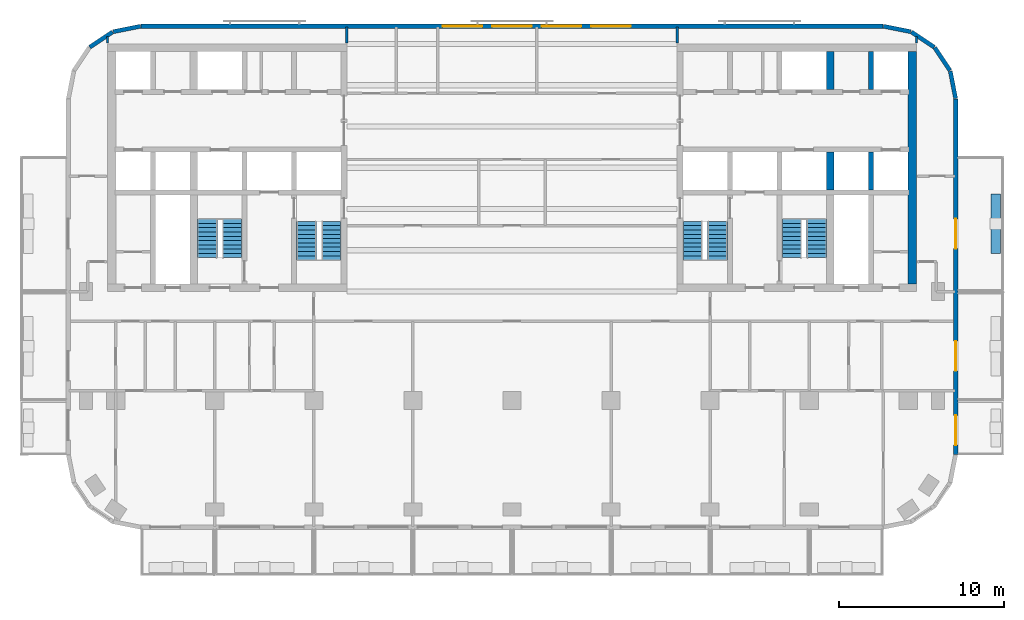
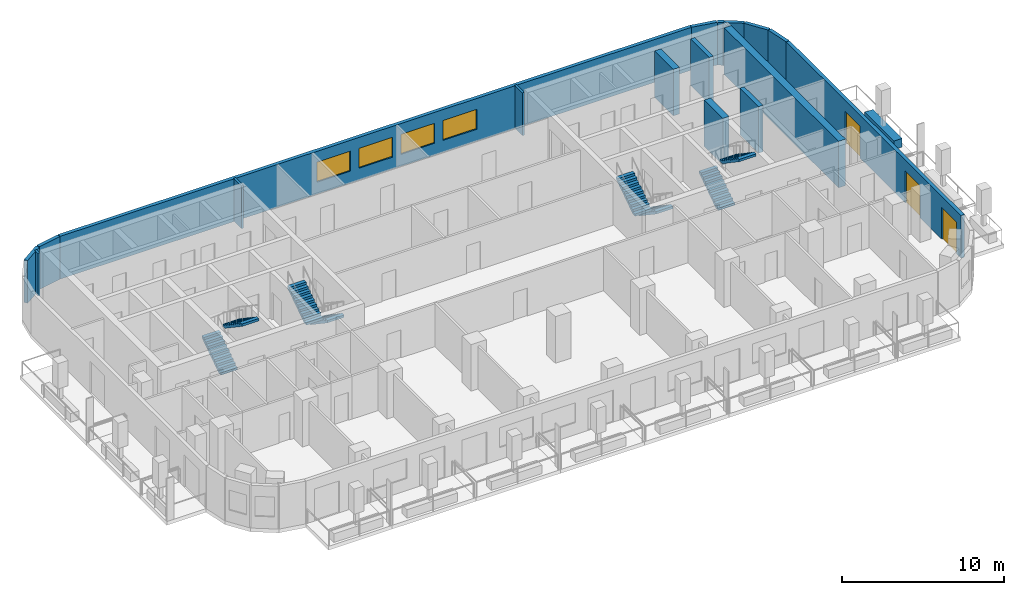
# One storey, part 7 of 11: 18 walls, 8 stair flights, 4 windows, 3 doors, 7 openings, 4 elements without a shape of their own.
"""IFC4 building model written with IfcOpenShell, lengths in metres."""

from ifc_helpers import new_model, si_unit, direction, frame, frame_2d, origin, place, context, subcontext, project, spatial, polyline, rectangle, outline, extrude, material, layer, layer_set, type_object, element, fill, aggregate, save


model = new_model("IFC4")

# Units and contexts
model_context = context("Model", 3, precision=1e-05, world=origin(), true_north=direction((0.0, 1.0)))
body_context = subcontext(model_context, "Body", "Model", "MODEL_VIEW")
ifc_project = project(units=[si_unit("LENGTHUNIT", "METRE"), si_unit("AREAUNIT", "SQUARE_METRE"), si_unit("VOLUMEUNIT", "CUBIC_METRE"), si_unit("PLANEANGLEUNIT", "RADIAN"), si_unit("MASSUNIT", "GRAM", prefix="KILO")], contexts=[model_context])

# Site, building, storey
site_placement = place(None, origin())
site = spatial("IfcSite", under=ifc_project, at=site_placement, CompositionType="ELEMENT")
building_placement = place(site_placement, origin())
building = spatial("IfcBuilding", under=site, at=building_placement, Name="Torana Hotel and Residences", CompositionType="ELEMENT")
storey_placement = place(building_placement, frame((0.0, 0.0, 222.10009765625)))
storey = spatial("IfcBuildingStorey", under=building, at=storey_placement, Name="L58", CompositionType="ELEMENT", Elevation=222.10009765625)

# Walls
ifc_material_1 = material(Name="Concrete C70/85", Category="concrete")
ifc_layer_1 = layer(ifc_material_1, 0.300048828125)
ifc_layer_set_1 = layer_set([ifc_layer_1], Name="CORE WALL 300 C70/85")
wall_type_1 = type_object("IfcWallType", Name="CORE WALL 300 C70/85", PredefinedType="SHEAR", material=ifc_layer_set_1)
for number, where, z_axis, x_axis, name in (
    (1, (21.75, -2.75, 0.0), (0.0, 0.0, 1.0), (0.0, 1.0, 0.0), "Core wall E mm-N"),
    (2, (21.75, -8.85009765625, 0.0), (0.0, 0.0, 1.0), (0.0, 1.0, 0.0), "Core wall E mm-S"),
):
    element("IfcWall", number, at=place(storey_placement, frame(where, z_axis=z_axis, x_axis=x_axis)), inside=storey, type_object=wall_type_1, Name=name, PredefinedType="SHEAR", context=body_context, shape_type="SweptSolid", body=[
        extrude(rectangle(XDim=2.300048828125, YDim=0.300048828125, at=frame_2d((1.14990234375, 0.0))), origin(), (0.0, 0.0, 1.0), 3.5),
    ])
ifc_material_2 = material(Name="Concrete C70/85", Category="concrete")
ifc_layer_2 = layer(ifc_material_2, 0.449951171875)
ifc_layer_set_2 = layer_set([ifc_layer_2], Name="CORE WALL 450 C70/85")
wall_type_2 = type_object("IfcWallType", Name="CORE WALL 450 C70/85", PredefinedType="SHEAR", material=ifc_layer_set_2)
for number, where, z_axis, x_axis, name in (
    (3, (19.27490234375, -2.75, 0.0), (0.0, 0.0, 1.0), (0.0, 1.0, 0.0), "Core wall E hm-N"),
    (4, (19.27490234375, -8.85009765625, 0.0), (0.0, 0.0, 1.0), (0.0, 1.0, 0.0), "Core wall E hm-S"),
):
    element("IfcWall", number, at=place(storey_placement, frame(where, z_axis=z_axis, x_axis=x_axis)), inside=storey, type_object=wall_type_2, Name=name, PredefinedType="SHEAR", context=body_context, shape_type="SweptSolid", body=[
        extrude(rectangle(XDim=2.300048828125, YDim=0.449951171875, at=frame_2d((1.14990234375, 0.0))), origin(), (0.0, 0.0, 1.0), 3.5),
    ])
ifc_material_3 = material(Name="Concrete C70/85", Category="concrete")
ifc_layer_3 = layer(ifc_material_3, 0.5)
ifc_layer_set_3 = layer_set([ifc_layer_3], Name="CORE WALL 500 C70/85")
wall_type_3 = type_object("IfcWallType", Name="CORE WALL 500 C70/85", PredefinedType="SHEAR", material=ifc_layer_set_3)
wall_1_placement = place(storey_placement, frame((24.25, -14.550048828125, 0.0), z_axis=(0.0, 0.0, 1.0), x_axis=(0.0, 1.0, 0.0)))
element("IfcWall", 5, at=wall_1_placement, inside=storey, type_object=wall_type_3, Name="Core wall E outer", PredefinedType="SHEAR", context=body_context, shape_type="SweptSolid", body=[
    extrude(rectangle(XDim=14.10009765625, YDim=0.5, at=frame_2d((7.050048828125, 0.0))), origin(), (0.0, 0.0, 1.0), 3.5),
])
ifc_material_4 = material(Name="Black aluminium composite panel", Category="aluminium")
ifc_layer_4 = layer(ifc_material_4, 0.00390625, Name="Cladding", Category="cladding")
ifc_material_5 = material(Name="Ventilated air cavity")
ifc_layer_5 = layer(ifc_material_5, 0.0400390625, Name="Ventilated cavity", Category="cavity")
ifc_material_6 = material(Name="Mineral wool insulation")
ifc_layer_6 = layer(ifc_material_6, 0.090087890625, Name="Insulation", Category="insulation")
ifc_material_7 = material(Name="Steel S280GD", Category="steel")
ifc_layer_7 = layer(ifc_material_7, 0.092041015625, Name="Steel stud frame", Category="structure")
ifc_material_8 = material(Name="Fire rated plasterboard")
ifc_layer_8 = layer(ifc_material_8, 0.011962890625, Name="Inner board", Category="finish")
ifc_layer_9 = layer(ifc_material_8, 0.011962890625, Name="Second board", Category="finish")
ifc_layer_set_4 = layer_set([ifc_layer_4, ifc_layer_5, ifc_layer_6, ifc_layer_7, ifc_layer_8, ifc_layer_9], Name="EW1 EXTERNAL WALL BLACK METAL CLAD 250")
wall_type_4 = type_object("IfcWallType", Name="EW1 EXTERNAL WALL BLACK METAL CLAD 250", PredefinedType="SOLIDWALL", material=ifc_layer_set_4)
wall_2_placement = place(storey_placement, frame((26.87255859375, -3.30029296875, 0.0), z_axis=(0.0, 0.0, 1.0), x_axis=(-0.194999110559, 0.980803419081, 0.0)))
element("IfcWall", 6, at=wall_2_placement, inside=storey, type_object=wall_type_4, Name="External wall L58 e0.0", PredefinedType="SOLIDWALL", context=body_context, shape_type="SweptSolid", body=[
    extrude(rectangle(XDim=1.681396484375, YDim=0.25, at=frame_2d((0.8408203125, 0.0))), origin(), (0.0, 0.0, 1.0), 3.219970703125),
])
for number, where, z_axis, x_axis, name in (
    (7, (26.52587890625, -1.60595703125, 0.0), (0.0, 0.0, 1.0), (-0.55555029066, 0.831482937015, 0.0), "External wall L58 e0.1"),
    (8, (25.5712890625, -0.1943359375, 0.0), (0.0, 0.0, 1.0), (-0.831482937015, 0.55555029066, 0.0), "External wall L58 e0.2"),
):
    element("IfcWall", number, at=place(storey_placement, frame(where, z_axis=z_axis, x_axis=x_axis)), inside=storey, type_object=wall_type_4, Name=name, PredefinedType="SOLIDWALL", context=body_context, shape_type="SweptSolid", body=[
        extrude(rectangle(XDim=1.65625, YDim=0.25, at=frame_2d((0.828125, 0.0))), origin(), (0.0, 0.0, 1.0), 3.219970703125),
    ])
for number, where, z_axis, x_axis, name in (
    (9, (24.14892578125, 0.74462890625, 0.0), (0.0, 0.0, 1.0), (-0.980803419081, 0.194999110559, 0.0), "External wall L58 e0.3"),
    (10, (-22.499755859375, 1.072509765625, 0.0), (0.0, 0.0, 1.0), (-0.980803419081, -0.194999110559, 0.0), "External wall L58 e0.5"),
):
    element("IfcWall", number, at=place(storey_placement, frame(where, z_axis=z_axis, x_axis=x_axis)), inside=storey, type_object=wall_type_4, Name=name, PredefinedType="SOLIDWALL", context=body_context, shape_type="SweptSolid", body=[
        extrude(rectangle(XDim=1.681396484375, YDim=0.25, at=frame_2d((0.8408203125, 0.0))), origin(), (0.0, 0.0, 1.0), 3.219970703125),
    ])
wall_3_placement = place(storey_placement, frame((-24.194091796875, 0.725830078125, 0.0), z_axis=(0.0, 0.0, 1.0), x_axis=(-0.831482937015, -0.55555029066, 0.0)))
element("IfcWall", 11, at=wall_3_placement, inside=storey, type_object=wall_type_4, Name="External wall L58 e0.6", PredefinedType="SOLIDWALL", context=body_context, shape_type="SweptSolid", body=[
    extrude(rectangle(XDim=1.65625, YDim=0.25, at=frame_2d((0.828125, 0.0))), origin(), (0.0, 0.0, 1.0), 3.219970703125),
])

# Wall, openings, doors
wall_4_placement = place(storey_placement, frame((26.875, -24.87548828125, 0.0), z_axis=(0.0, 0.0, 1.0), x_axis=(0.0, 1.0, 0.0)))
wall_4 = element("IfcWall", 12, at=wall_4_placement, inside=storey, type_object=wall_type_4, Name="External wall L58 e0.19", PredefinedType="SOLIDWALL", context=body_context, shape_type="SweptSolid", body=[
    extrude(rectangle(XDim=21.55078125, YDim=0.25, at=frame_2d((10.775390625, 0.0))), origin(), (0.0, 0.0, 1.0), 3.219970703125),
])
opening_1_placement = place(wall_4_placement, frame((0.575439453125, 0.0, 0.0)))
opening_1 = element("IfcOpeningElement", 13, at=opening_1_placement, cuts=wall_4, Name="Opening L58-E09", PredefinedType="OPENING", context=body_context, shape_type="SweptSolid", body=[
    extrude(rectangle(XDim=1.800048828125, YDim=2.39990234375, at=frame_2d((0.89990234375, 1.199951171875))), frame((0.0, 0.135009765625, 0.0), z_axis=(0.0, -1.0, 0.0), x_axis=(1.0, 0.0, 0.0)), (0.0, 0.0, 1.0), 0.27001953125),
])
opening_2_placement = place(wall_4_placement, frame((5.075439453125, 0.0, 0.0)))
opening_2 = element("IfcOpeningElement", 14, at=opening_2_placement, cuts=wall_4, Name="Opening L58-E10", PredefinedType="OPENING", context=body_context, shape_type="SweptSolid", body=[
    extrude(rectangle(XDim=1.800048828125, YDim=2.39990234375, at=frame_2d((0.89990234375, 1.199951171875))), frame((0.0, 0.135009765625, 0.0), z_axis=(0.0, -1.0, 0.0), x_axis=(1.0, 0.0, 0.0)), (0.0, 0.0, 1.0), 0.27001953125),
])
opening_3_placement = place(wall_4_placement, frame((12.475341796875, 0.0, 0.0)))
opening_3 = element("IfcOpeningElement", 15, at=opening_3_placement, cuts=wall_4, Name="Opening L58-E11", PredefinedType="OPENING", context=body_context, shape_type="SweptSolid", body=[
    extrude(rectangle(XDim=1.800048828125, YDim=2.39990234375, at=frame_2d((0.89990234375, 1.199951171875))), frame((0.0, 0.135009765625, 0.0), z_axis=(0.0, -1.0, 0.0), x_axis=(1.0, 0.0, 0.0)), (0.0, 0.0, 1.0), 0.27001953125),
])
ifc_material_9 = material(Name="Dark glass in black aluminium frame", Category="aluminium")
door_type = type_object("IfcDoorType", Name="DB1 BALCONY DOOR 1800x2400", OperationType="DOUBLE_DOOR_SINGLE_SWING", PredefinedType="DOOR", material=ifc_material_9)
door_1_placement = place(opening_1_placement, origin())
door_1 = element("IfcDoor", 16, at=door_1_placement, inside=storey, type_object=door_type, Name="Balcony door L58", OperationType="DOUBLE_DOOR_SINGLE_SWING", OverallHeight=2.39990234375, OverallWidth=1.800048828125, PredefinedType="DOOR", context=body_context, shape_type="SweptSolid", body=[
    extrude(rectangle(XDim=1.800048828125, YDim=2.39990234375, at=frame_2d((0.89990234375, 1.199951171875))), frame((0.0, 0.02490234375, 0.0), z_axis=(0.0, -1.0, 0.0), x_axis=(1.0, 0.0, 0.0)), (0.0, 0.0, 1.0), 0.050048828125),
])
fill(opening_1, door_1)
door_2_placement = place(opening_2_placement, origin())
door_2 = element("IfcDoor", 17, at=door_2_placement, inside=storey, type_object=door_type, Name="Balcony door L58", OperationType="DOUBLE_DOOR_SINGLE_SWING", OverallHeight=2.39990234375, OverallWidth=1.800048828125, PredefinedType="DOOR", context=body_context, shape_type="SweptSolid", body=[
    extrude(rectangle(XDim=1.800048828125, YDim=2.39990234375, at=frame_2d((0.89990234375, 1.199951171875))), frame((0.0, 0.02490234375, 0.0), z_axis=(0.0, -1.0, 0.0), x_axis=(1.0, 0.0, 0.0)), (0.0, 0.0, 1.0), 0.050048828125),
])
fill(opening_2, door_2)
door_3_placement = place(opening_3_placement, origin())
door_3 = element("IfcDoor", 18, at=door_3_placement, inside=storey, type_object=door_type, Name="Balcony door L58", OperationType="DOUBLE_DOOR_SINGLE_SWING", OverallHeight=2.39990234375, OverallWidth=1.800048828125, PredefinedType="DOOR", context=body_context, shape_type="SweptSolid", body=[
    extrude(rectangle(XDim=1.800048828125, YDim=2.39990234375, at=frame_2d((0.89990234375, 1.199951171875))), frame((0.0, 0.02490234375, 0.0), z_axis=(0.0, -1.0, 0.0), x_axis=(1.0, 0.0, 0.0)), (0.0, 0.0, 1.0), 0.050048828125),
])
fill(opening_3, door_3)

# Wall, openings, windows
ifc_material_10 = material(Name="Concrete C40/50 precast", Category="concrete")
ifc_layer_10 = layer(ifc_material_10, 0.10009765625, Name="Perforated block", Category="cladding")
ifc_material_11 = material(Name="Air cavity")
ifc_layer_11 = layer(ifc_material_11, 0.030029296875, Name="Cavity", Category="cavity")
ifc_material_12 = material(Name="Concrete C40/50", Category="concrete")
ifc_layer_12 = layer(ifc_material_12, 0.10009765625, Name="Wall", Category="structure")
ifc_material_13 = material(Name="Plaster and paint")
ifc_layer_13 = layer(ifc_material_13, 0.02001953125, Name="Inner finish", Category="finish")
ifc_layer_set_5 = layer_set([ifc_layer_10, ifc_layer_11, ifc_layer_12, ifc_layer_13], Name="EW2 PERFORATED BLOCK SCREEN WALL 250")
wall_type_5 = type_object("IfcWallType", Name="EW2 PERFORATED BLOCK SCREEN WALL 250", PredefinedType="SOLIDWALL", material=ifc_layer_set_5)
wall_5_placement = place(storey_placement, frame((22.475341796875, 1.074951171875, 0.0), z_axis=(0.0, 0.0, 1.0), x_axis=(-1.0, 0.0, 0.0)))
wall_5 = element("IfcWall", 19, at=wall_5_placement, inside=storey, type_object=wall_type_5, Name="External wall L58 e0.4", PredefinedType="SOLIDWALL", context=body_context, shape_type="SweptSolid", body=[
    extrude(rectangle(XDim=44.95068359375, YDim=0.25, at=frame_2d((22.475341796875, 0.0))), origin(), (0.0, 0.0, 1.0), 3.219970703125),
])
opening_4_placement = place(wall_5_placement, frame((15.275390625, 0.0, 0.89990234375)))
opening_4 = element("IfcOpeningElement", 20, at=opening_4_placement, cuts=wall_5, Name="Opening W3", PredefinedType="OPENING", context=body_context, shape_type="SweptSolid", body=[
    extrude(rectangle(XDim=2.39990234375, YDim=1.5, at=frame_2d((1.199951171875, 0.75))), frame((0.0, 0.135009765625, 0.0), z_axis=(0.0, -1.0, 0.0), x_axis=(1.0, 0.0, 0.0)), (0.0, 0.0, 1.0), 0.27001953125),
])
opening_5_placement = place(wall_5_placement, frame((18.275390625, 0.0, 0.89990234375)))
opening_5 = element("IfcOpeningElement", 21, at=opening_5_placement, cuts=wall_5, Name="Opening W3", PredefinedType="OPENING", context=body_context, shape_type="SweptSolid", body=[
    extrude(rectangle(XDim=2.39990234375, YDim=1.5, at=frame_2d((1.199951171875, 0.75))), frame((0.0, 0.135009765625, 0.0), z_axis=(0.0, -1.0, 0.0), x_axis=(1.0, 0.0, 0.0)), (0.0, 0.0, 1.0), 0.27001953125),
])
opening_6_placement = place(wall_5_placement, frame((21.275390625, 0.0, 0.89990234375)))
opening_6 = element("IfcOpeningElement", 22, at=opening_6_placement, cuts=wall_5, Name="Opening W3", PredefinedType="OPENING", context=body_context, shape_type="SweptSolid", body=[
    extrude(rectangle(XDim=2.39990234375, YDim=1.5, at=frame_2d((1.199951171875, 0.75))), frame((0.0, 0.135009765625, 0.0), z_axis=(0.0, -1.0, 0.0), x_axis=(1.0, 0.0, 0.0)), (0.0, 0.0, 1.0), 0.27001953125),
])
opening_7_placement = place(wall_5_placement, frame((24.275390625, 0.0, 0.89990234375)))
opening_7 = element("IfcOpeningElement", 23, at=opening_7_placement, cuts=wall_5, Name="Opening W3", PredefinedType="OPENING", context=body_context, shape_type="SweptSolid", body=[
    extrude(rectangle(XDim=2.39990234375, YDim=1.5, at=frame_2d((1.199951171875, 0.75))), frame((0.0, 0.135009765625, 0.0), z_axis=(0.0, -1.0, 0.0), x_axis=(1.0, 0.0, 0.0)), (0.0, 0.0, 1.0), 0.27001953125),
])
ifc_material_14 = material(Name="Dark glass in black aluminium frame", Category="aluminium")
window_type = type_object("IfcWindowType", Name="W3 RESIDENCE WINDOW 2400x1500", PartitioningType="SINGLE_PANEL", PredefinedType="WINDOW", material=ifc_material_14)
window_1_placement = place(opening_4_placement, origin())
window_1 = element("IfcWindow", 24, at=window_1_placement, inside=storey, type_object=window_type, Name="Window L58", OverallHeight=1.5, OverallWidth=2.39990234375, PartitioningType="SINGLE_PANEL", PredefinedType="WINDOW", context=body_context, shape_type="SweptSolid", body=[
    extrude(rectangle(XDim=2.39990234375, YDim=1.5, at=frame_2d((1.199951171875, 0.75))), frame((0.0, 0.030029296875, 0.0), z_axis=(0.0, -1.0, 0.0), x_axis=(1.0, 0.0, 0.0)), (0.0, 0.0, 1.0), 0.06005859375),
])
fill(opening_4, window_1)
window_2_placement = place(opening_5_placement, origin())
window_2 = element("IfcWindow", 25, at=window_2_placement, inside=storey, type_object=window_type, Name="Window L58", OverallHeight=1.5, OverallWidth=2.39990234375, PartitioningType="SINGLE_PANEL", PredefinedType="WINDOW", context=body_context, shape_type="SweptSolid", body=[
    extrude(rectangle(XDim=2.39990234375, YDim=1.5, at=frame_2d((1.199951171875, 0.75))), frame((0.0, 0.030029296875, 0.0), z_axis=(0.0, -1.0, 0.0), x_axis=(1.0, 0.0, 0.0)), (0.0, 0.0, 1.0), 0.06005859375),
])
fill(opening_5, window_2)
window_3_placement = place(opening_6_placement, origin())
window_3 = element("IfcWindow", 26, at=window_3_placement, inside=storey, type_object=window_type, Name="Window L58", OverallHeight=1.5, OverallWidth=2.39990234375, PartitioningType="SINGLE_PANEL", PredefinedType="WINDOW", context=body_context, shape_type="SweptSolid", body=[
    extrude(rectangle(XDim=2.39990234375, YDim=1.5, at=frame_2d((1.199951171875, 0.75))), frame((0.0, 0.030029296875, 0.0), z_axis=(0.0, -1.0, 0.0), x_axis=(1.0, 0.0, 0.0)), (0.0, 0.0, 1.0), 0.06005859375),
])
fill(opening_6, window_3)
window_4_placement = place(opening_7_placement, origin())
window_4 = element("IfcWindow", 27, at=window_4_placement, inside=storey, type_object=window_type, Name="Window L58", OverallHeight=1.5, OverallWidth=2.39990234375, PartitioningType="SINGLE_PANEL", PredefinedType="WINDOW", context=body_context, shape_type="SweptSolid", body=[
    extrude(rectangle(XDim=2.39990234375, YDim=1.5, at=frame_2d((1.199951171875, 0.75))), frame((0.0, 0.030029296875, 0.0), z_axis=(0.0, -1.0, 0.0), x_axis=(1.0, 0.0, 0.0)), (0.0, 0.0, 1.0), 0.06005859375),
])
fill(opening_7, window_4)

# Walls
ifc_material_15 = material(Name="Gypsum plasterboard")
ifc_layer_14 = layer(ifc_material_15, 0.012451171875, Name="Plasterboard", Category="finish")
ifc_layer_15 = layer(ifc_material_15, 0.012451171875, Name="Plasterboard", Category="finish")
ifc_layer_16 = layer(ifc_material_7, 0.10009765625, Name="Steel studs with mineral wool", Category="insulation")
ifc_layer_17 = layer(ifc_material_15, 0.012451171875, Name="Plasterboard", Category="finish")
ifc_layer_18 = layer(ifc_material_15, 0.012451171875, Name="Plasterboard", Category="finish")
ifc_layer_set_6 = layer_set([ifc_layer_14, ifc_layer_15, ifc_layer_16, ifc_layer_17, ifc_layer_18], Name="PARTITION 150 PLASTERBOARD")
wall_type_6 = type_object("IfcWallType", Name="PARTITION 150 PLASTERBOARD", PredefinedType="PARTITIONING", material=ifc_layer_set_6)
wall_6_placement = place(storey_placement, frame((24.5, 0.050048828125, 0.0), z_axis=(0.0, 0.0, 1.0), x_axis=(0.0, 1.0, 0.0)))
element("IfcWall", 28, at=wall_6_placement, inside=storey, type_object=wall_type_6, Name="Partition L58", PredefinedType="PARTITIONING", context=body_context, shape_type="SweptSolid", body=[
    extrude(rectangle(XDim=0.4052734375, YDim=0.14990234375, at=frame_2d((0.20263671875, 0.0))), origin(), (0.0, 0.0, 1.0), 3.219970703125),
])
wall_7_placement = place(storey_placement, frame((10.0, 0.050048828125, 0.0), z_axis=(0.0, 0.0, 1.0), x_axis=(0.0, 1.0, 0.0)))
element("IfcWall", 29, at=wall_7_placement, inside=storey, type_object=wall_type_6, Name="Partition L58", PredefinedType="PARTITIONING", context=body_context, shape_type="SweptSolid", body=[
    extrude(rectangle(XDim=0.969970703125, YDim=0.14990234375, at=frame_2d((0.48486328125, 0.0))), origin(), (0.0, 0.0, 1.0), 3.219970703125),
])
wall_8_placement = place(storey_placement, frame((-24.5, 0.050048828125, 0.0), z_axis=(0.0, 0.0, 1.0), x_axis=(0.0, 1.0, 0.0)))
element("IfcWall", 30, at=wall_8_placement, inside=storey, type_object=wall_type_6, Name="Partition L58", PredefinedType="PARTITIONING", context=body_context, shape_type="SweptSolid", body=[
    extrude(rectangle(XDim=0.4052734375, YDim=0.14990234375, at=frame_2d((0.20263671875, 0.0))), origin(), (0.0, 0.0, 1.0), 3.219970703125),
])
ifc_layer_19 = layer(ifc_material_10, 0.10009765625, Name="Planter shell", Category="structure")
ifc_material_16 = material(Name="Root resistant membrane")
ifc_layer_20 = layer(ifc_material_16, 0.00390625, Name="Waterproofing membrane", Category="membrane")
ifc_material_17 = material(Name="Drainage board with filter fleece")
ifc_layer_21 = layer(ifc_material_17, 0.02001953125, Name="Drainage board", Category="drainage")
ifc_material_18 = material(Name="Growing medium")
ifc_layer_22 = layer(ifc_material_18, 0.47607421875, Name="Planting substrate", Category="soil")
ifc_layer_set_7 = layer_set([ifc_layer_19, ifc_layer_20, ifc_layer_21, ifc_layer_22], Name="PL1 BALCONY PLANTER 600")
wall_type_7 = type_object("IfcWallType", Name="PL1 BALCONY PLANTER 600", PredefinedType="USERDEFINED", material=ifc_layer_set_7)
wall_9_placement = place(storey_placement, frame((29.300048828125, -9.10009765625, 0.0), z_axis=(0.0, 0.0, 1.0), x_axis=(0.0, -1.0, 0.0)))
element("IfcWall", 31, at=wall_9_placement, inside=storey, type_object=wall_type_7, Name="Planter 14", ObjectType="PLANTER", PredefinedType="USERDEFINED", context=body_context, shape_type="SweptSolid", body=[
    extrude(rectangle(XDim=3.599853515625, YDim=0.60009765625, at=frame_2d((1.7998046875, 0.0))), origin(), (0.0, 0.0, 1.0), 0.64990234375),
])
ifc_material_19 = material(Name="Ceramic tile on adhesive")
ifc_layer_23 = layer(ifc_material_19, 0.010009765625, Name="Wall tile", Category="finish")
ifc_material_20 = material(Name="Cement render")
ifc_layer_24 = layer(ifc_material_20, 0.010009765625, Name="Render", Category="finish")
ifc_material_21 = material(Name="Concrete blockwork", Category="masonry")
ifc_layer_25 = layer(ifc_material_21, 0.110107421875, Name="Blockwork", Category="structure")
ifc_layer_26 = layer(ifc_material_20, 0.010009765625, Name="Render", Category="finish")
ifc_layer_27 = layer(ifc_material_19, 0.010009765625, Name="Wall tile", Category="finish")
ifc_layer_set_8 = layer_set([ifc_layer_23, ifc_layer_24, ifc_layer_25, ifc_layer_26, ifc_layer_27], Name="WC PARTITION 150")
wall_type_8 = type_object("IfcWallType", Name="WC PARTITION 150", PredefinedType="PLUMBINGWALL", material=ifc_layer_set_8)
wall_10_placement = place(storey_placement, frame((-10.0, 0.050048828125, 0.0), z_axis=(0.0, 0.0, 1.0), x_axis=(0.0, 1.0, 0.0)))
element("IfcWall", 32, at=wall_10_placement, inside=storey, type_object=wall_type_8, Name="Partition L58", PredefinedType="PLUMBINGWALL", context=body_context, shape_type="SweptSolid", body=[
    extrude(rectangle(XDim=0.969970703125, YDim=0.14990234375, at=frame_2d((0.48486328125, 0.0))), origin(), (0.0, 0.0, 1.0), 3.219970703125),
])

# Stair, stair flights
ifc_material_22 = material(Name="Concrete C40/50 precast", Category="concrete")
stair_type_1 = type_object("IfcStairType", Name="STAIR ST1 HALF TURN 1200", PredefinedType="HALF_TURN_STAIR", material=ifc_material_22)
stair_1_placement = place(storey_placement, origin())
stair_1 = element("IfcStair", 33, at=stair_1_placement, inside=storey, type_object=stair_type_1, Name="Stair ST1 L58", PredefinedType="HALF_TURN_STAIR")
ifc_material_23 = material(Name="Concrete C40/50 precast", Category="concrete")
stair_flight_type = type_object("IfcStairFlightType", Name="STAIR FLIGHT 1200 PRECAST", PredefinedType="STRAIGHT", material=ifc_material_23)
stair_flight_1_placement = place(storey_placement, frame((-10.949951171875, -10.75, 0.0), z_axis=(0.0, 0.0, 1.0), x_axis=(0.0, -1.0, 0.0)))
stair_flight_1 = element("IfcStairFlight", 34, at=stair_flight_1_placement, type_object=stair_flight_type, Name="ST1 flight 1", NumberOfRisers=10, NumberOfTreads=9, PredefinedType="STRAIGHT", RiserHeight=0.175, TreadLength=0.26, context=body_context, shape_type="SweptSolid", body=[
    extrude(outline(polyline([(0.0, 0.0), (0.0, 0.175048828125), (0.260009765625, 0.175048828125), (0.260009765625, 0.35009765625), (0.52001953125, 0.35009765625), (0.52001953125, 0.52490234375), (0.780029296875, 0.52490234375), (0.780029296875, 0.699951171875), (1.0400390625, 0.699951171875), (1.0400390625, 0.875), (1.300048828125, 0.875), (1.300048828125, 1.050048828125), (1.56005859375, 1.050048828125), (1.56005859375, 1.22509765625), (1.820068359375, 1.22509765625), (1.820068359375, 1.39990234375), (2.080078125, 1.39990234375), (2.080078125, 1.574951171875), (2.340087890625, 1.574951171875), (2.340087890625, 1.75), (2.340087890625, 1.394287109375), (0.2685546875, 0.0), (0.0, 0.0)])), frame((0.0, 0.60009765625, 0.0), z_axis=(0.0, -1.0, 0.0), x_axis=(1.0, 0.0, 0.0)), (0.0, 0.0, 1.0), 1.199951171875),
])
stair_flight_2_placement = place(storey_placement, frame((-12.449951171875, -13.090087890625, 1.75), z_axis=(0.0, 0.0, 1.0), x_axis=(0.0, 1.0, 0.0)))
stair_flight_2 = element("IfcStairFlight", 35, at=stair_flight_2_placement, type_object=stair_flight_type, Name="ST1 flight 2", NumberOfRisers=10, NumberOfTreads=9, PredefinedType="STRAIGHT", RiserHeight=0.175, TreadLength=0.26, context=body_context, shape_type="SweptSolid", body=[
    extrude(outline(polyline([(0.0, 0.0), (0.0, 0.175048828125), (0.260009765625, 0.175048828125), (0.260009765625, 0.35009765625), (0.52001953125, 0.35009765625), (0.52001953125, 0.52490234375), (0.780029296875, 0.52490234375), (0.780029296875, 0.699951171875), (1.0400390625, 0.699951171875), (1.0400390625, 0.875), (1.300048828125, 0.875), (1.300048828125, 1.050048828125), (1.56005859375, 1.050048828125), (1.56005859375, 1.22509765625), (1.820068359375, 1.22509765625), (1.820068359375, 1.39990234375), (2.080078125, 1.39990234375), (2.080078125, 1.574951171875), (2.340087890625, 1.574951171875), (2.340087890625, 1.75), (2.340087890625, 1.394287109375), (0.2685546875, 0.0), (0.0, 0.0)])), frame((0.0, 0.60009765625, 0.0), z_axis=(0.0, -1.0, 0.0), x_axis=(1.0, 0.0, 0.0)), (0.0, 0.0, 1.0), 1.199951171875),
])
aggregate(stair_1, [stair_flight_1, stair_flight_2])

ifc_material_24 = material(Name="Concrete C40/50 precast", Category="concrete")
stair_type_2 = type_object("IfcStairType", Name="STAIR ST2 HALF TURN 1200", PredefinedType="HALF_TURN_STAIR", material=ifc_material_24)
stair_2_placement = place(storey_placement, origin())
stair_2 = element("IfcStair", 36, at=stair_2_placement, inside=storey, type_object=stair_type_2, Name="Stair ST2 L58", PredefinedType="HALF_TURN_STAIR")
stair_flight_3_placement = place(storey_placement, frame((-18.449951171875, -12.949951171875, 0.0), z_axis=(0.0, 0.0, 1.0), x_axis=(0.0, 1.0, 0.0)))
stair_flight_3 = element("IfcStairFlight", 37, at=stair_flight_3_placement, type_object=stair_flight_type, Name="ST2 flight 1", NumberOfRisers=10, NumberOfTreads=9, PredefinedType="STRAIGHT", RiserHeight=0.175, TreadLength=0.26, context=body_context, shape_type="SweptSolid", body=[
    extrude(outline(polyline([(0.0, 0.0), (0.0, 0.175048828125), (0.260009765625, 0.175048828125), (0.260009765625, 0.35009765625), (0.52001953125, 0.35009765625), (0.52001953125, 0.52490234375), (0.780029296875, 0.52490234375), (0.780029296875, 0.699951171875), (1.0400390625, 0.699951171875), (1.0400390625, 0.875), (1.300048828125, 0.875), (1.300048828125, 1.050048828125), (1.56005859375, 1.050048828125), (1.56005859375, 1.22509765625), (1.820068359375, 1.22509765625), (1.820068359375, 1.39990234375), (2.080078125, 1.39990234375), (2.080078125, 1.574951171875), (2.340087890625, 1.574951171875), (2.340087890625, 1.75), (2.340087890625, 1.394287109375), (0.2685546875, 0.0), (0.0, 0.0)])), frame((0.0, 0.60009765625, 0.0), z_axis=(0.0, -1.0, 0.0), x_axis=(1.0, 0.0, 0.0)), (0.0, 0.0, 1.0), 1.199951171875),
])
stair_flight_4_placement = place(storey_placement, frame((-16.949951171875, -10.610107421875, 1.75), z_axis=(0.0, 0.0, 1.0), x_axis=(0.0, -1.0, 0.0)))
stair_flight_4 = element("IfcStairFlight", 38, at=stair_flight_4_placement, type_object=stair_flight_type, Name="ST2 flight 2", NumberOfRisers=10, NumberOfTreads=9, PredefinedType="STRAIGHT", RiserHeight=0.175, TreadLength=0.26, context=body_context, shape_type="SweptSolid", body=[
    extrude(outline(polyline([(0.0, 0.0), (0.0, 0.175048828125), (0.260009765625, 0.175048828125), (0.260009765625, 0.35009765625), (0.52001953125, 0.35009765625), (0.52001953125, 0.52490234375), (0.780029296875, 0.52490234375), (0.780029296875, 0.699951171875), (1.0400390625, 0.699951171875), (1.0400390625, 0.875), (1.300048828125, 0.875), (1.300048828125, 1.050048828125), (1.56005859375, 1.050048828125), (1.56005859375, 1.22509765625), (1.820068359375, 1.22509765625), (1.820068359375, 1.39990234375), (2.080078125, 1.39990234375), (2.080078125, 1.574951171875), (2.340087890625, 1.574951171875), (2.340087890625, 1.75), (2.340087890625, 1.394287109375), (0.2685546875, 0.0), (0.0, 0.0)])), frame((0.0, 0.60009765625, 0.0), z_axis=(0.0, -1.0, 0.0), x_axis=(1.0, 0.0, 0.0)), (0.0, 0.0, 1.0), 1.199951171875),
])
aggregate(stair_2, [stair_flight_3, stair_flight_4])

ifc_material_25 = material(Name="Concrete C40/50 precast", Category="concrete")
stair_type_3 = type_object("IfcStairType", Name="STAIR ST3 HALF TURN 1200", PredefinedType="HALF_TURN_STAIR", material=ifc_material_25)
stair_3_placement = place(storey_placement, origin())
stair_3 = element("IfcStair", 39, at=stair_3_placement, inside=storey, type_object=stair_type_3, Name="Stair ST3 L58", PredefinedType="HALF_TURN_STAIR")
stair_flight_5_placement = place(storey_placement, frame((12.449951171875, -10.75, 0.0), z_axis=(0.0, 0.0, 1.0), x_axis=(0.0, -1.0, 0.0)))
stair_flight_5 = element("IfcStairFlight", 40, at=stair_flight_5_placement, type_object=stair_flight_type, Name="ST3 flight 1", NumberOfRisers=10, NumberOfTreads=9, PredefinedType="STRAIGHT", RiserHeight=0.175, TreadLength=0.26, context=body_context, shape_type="SweptSolid", body=[
    extrude(outline(polyline([(0.0, 0.0), (0.0, 0.175048828125), (0.260009765625, 0.175048828125), (0.260009765625, 0.35009765625), (0.52001953125, 0.35009765625), (0.52001953125, 0.52490234375), (0.780029296875, 0.52490234375), (0.780029296875, 0.699951171875), (1.0400390625, 0.699951171875), (1.0400390625, 0.875), (1.300048828125, 0.875), (1.300048828125, 1.050048828125), (1.56005859375, 1.050048828125), (1.56005859375, 1.22509765625), (1.820068359375, 1.22509765625), (1.820068359375, 1.39990234375), (2.080078125, 1.39990234375), (2.080078125, 1.574951171875), (2.340087890625, 1.574951171875), (2.340087890625, 1.75), (2.340087890625, 1.394287109375), (0.2685546875, 0.0), (0.0, 0.0)])), frame((0.0, 0.60009765625, 0.0), z_axis=(0.0, -1.0, 0.0), x_axis=(1.0, 0.0, 0.0)), (0.0, 0.0, 1.0), 1.199951171875),
])
stair_flight_6_placement = place(storey_placement, frame((10.949951171875, -13.090087890625, 1.75), z_axis=(0.0, 0.0, 1.0), x_axis=(0.0, 1.0, 0.0)))
stair_flight_6 = element("IfcStairFlight", 41, at=stair_flight_6_placement, type_object=stair_flight_type, Name="ST3 flight 2", NumberOfRisers=10, NumberOfTreads=9, PredefinedType="STRAIGHT", RiserHeight=0.175, TreadLength=0.26, context=body_context, shape_type="SweptSolid", body=[
    extrude(outline(polyline([(0.0, 0.0), (0.0, 0.175048828125), (0.260009765625, 0.175048828125), (0.260009765625, 0.35009765625), (0.52001953125, 0.35009765625), (0.52001953125, 0.52490234375), (0.780029296875, 0.52490234375), (0.780029296875, 0.699951171875), (1.0400390625, 0.699951171875), (1.0400390625, 0.875), (1.300048828125, 0.875), (1.300048828125, 1.050048828125), (1.56005859375, 1.050048828125), (1.56005859375, 1.22509765625), (1.820068359375, 1.22509765625), (1.820068359375, 1.39990234375), (2.080078125, 1.39990234375), (2.080078125, 1.574951171875), (2.340087890625, 1.574951171875), (2.340087890625, 1.75), (2.340087890625, 1.394287109375), (0.2685546875, 0.0), (0.0, 0.0)])), frame((0.0, 0.60009765625, 0.0), z_axis=(0.0, -1.0, 0.0), x_axis=(1.0, 0.0, 0.0)), (0.0, 0.0, 1.0), 1.199951171875),
])
aggregate(stair_3, [stair_flight_5, stair_flight_6])

ifc_material_26 = material(Name="Concrete C40/50 precast", Category="concrete")
stair_type_4 = type_object("IfcStairType", Name="STAIR ST4 HALF TURN 1200", PredefinedType="HALF_TURN_STAIR", material=ifc_material_26)
stair_4_placement = place(storey_placement, origin())
stair_4 = element("IfcStair", 42, at=stair_4_placement, inside=storey, type_object=stair_type_4, Name="Stair ST4 L58", PredefinedType="HALF_TURN_STAIR")
stair_flight_7_placement = place(storey_placement, frame((16.949951171875, -12.949951171875, 0.0), z_axis=(0.0, 0.0, 1.0), x_axis=(0.0, 1.0, 0.0)))
stair_flight_7 = element("IfcStairFlight", 43, at=stair_flight_7_placement, type_object=stair_flight_type, Name="ST4 flight 1", NumberOfRisers=10, NumberOfTreads=9, PredefinedType="STRAIGHT", RiserHeight=0.175, TreadLength=0.26, context=body_context, shape_type="SweptSolid", body=[
    extrude(outline(polyline([(0.0, 0.0), (0.0, 0.175048828125), (0.260009765625, 0.175048828125), (0.260009765625, 0.35009765625), (0.52001953125, 0.35009765625), (0.52001953125, 0.52490234375), (0.780029296875, 0.52490234375), (0.780029296875, 0.699951171875), (1.0400390625, 0.699951171875), (1.0400390625, 0.875), (1.300048828125, 0.875), (1.300048828125, 1.050048828125), (1.56005859375, 1.050048828125), (1.56005859375, 1.22509765625), (1.820068359375, 1.22509765625), (1.820068359375, 1.39990234375), (2.080078125, 1.39990234375), (2.080078125, 1.574951171875), (2.340087890625, 1.574951171875), (2.340087890625, 1.75), (2.340087890625, 1.394287109375), (0.2685546875, 0.0), (0.0, 0.0)])), frame((0.0, 0.60009765625, 0.0), z_axis=(0.0, -1.0, 0.0), x_axis=(1.0, 0.0, 0.0)), (0.0, 0.0, 1.0), 1.199951171875),
])
stair_flight_8_placement = place(storey_placement, frame((18.449951171875, -10.610107421875, 1.75), z_axis=(0.0, 0.0, 1.0), x_axis=(0.0, -1.0, 0.0)))
stair_flight_8 = element("IfcStairFlight", 44, at=stair_flight_8_placement, type_object=stair_flight_type, Name="ST4 flight 2", NumberOfRisers=10, NumberOfTreads=9, PredefinedType="STRAIGHT", RiserHeight=0.175, TreadLength=0.26, context=body_context, shape_type="SweptSolid", body=[
    extrude(outline(polyline([(0.0, 0.0), (0.0, 0.175048828125), (0.260009765625, 0.175048828125), (0.260009765625, 0.35009765625), (0.52001953125, 0.35009765625), (0.52001953125, 0.52490234375), (0.780029296875, 0.52490234375), (0.780029296875, 0.699951171875), (1.0400390625, 0.699951171875), (1.0400390625, 0.875), (1.300048828125, 0.875), (1.300048828125, 1.050048828125), (1.56005859375, 1.050048828125), (1.56005859375, 1.22509765625), (1.820068359375, 1.22509765625), (1.820068359375, 1.39990234375), (2.080078125, 1.39990234375), (2.080078125, 1.574951171875), (2.340087890625, 1.574951171875), (2.340087890625, 1.75), (2.340087890625, 1.394287109375), (0.2685546875, 0.0), (0.0, 0.0)])), frame((0.0, 0.60009765625, 0.0), z_axis=(0.0, -1.0, 0.0), x_axis=(1.0, 0.0, 0.0)), (0.0, 0.0, 1.0), 1.199951171875),
])
aggregate(stair_4, [stair_flight_7, stair_flight_8])

save(model, "model.ifc")
